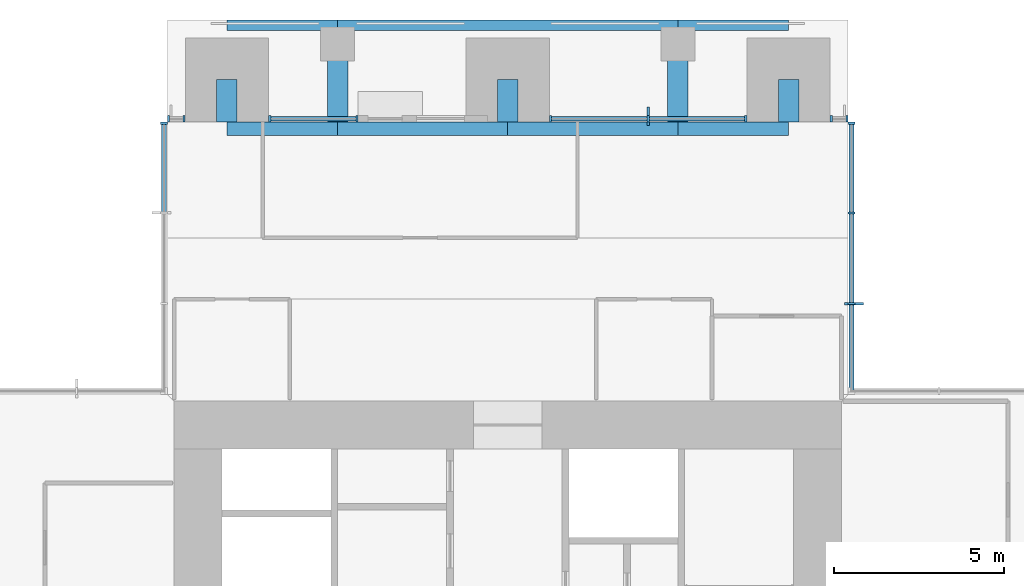
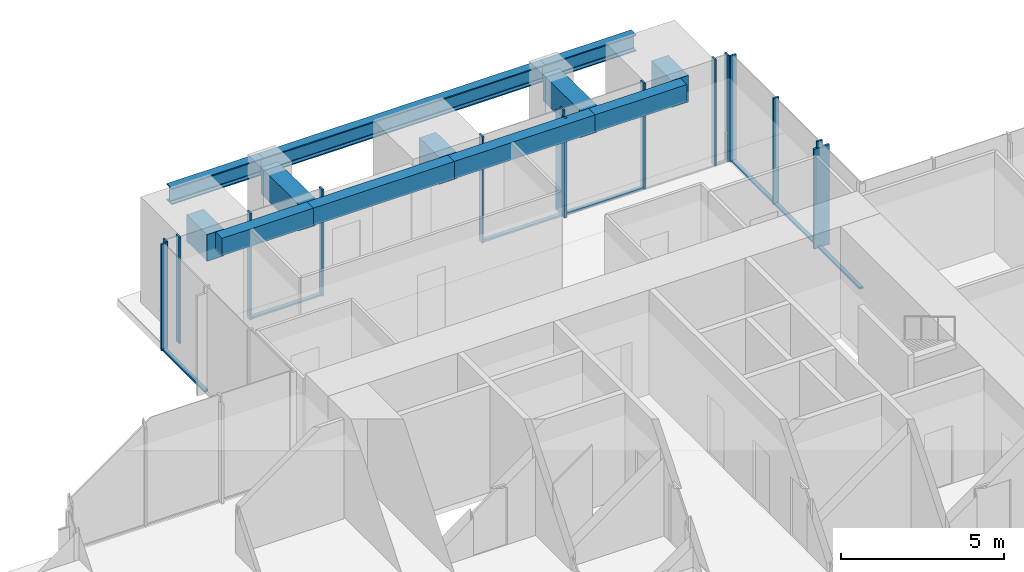
# One storey, part 5 of 17: 22 members, 12 beams, 6 elements without a shape of their own.
"""IFC4 building model written with IfcOpenShell, lengths in metres."""

from ifc_helpers import new_model, si_unit, direction, frame, origin, origin_2d, place, context, subcontext, project, spatial, rectangle, i_section, extrude, material, material_profile, profile_set, type_object, element, aggregate, save


model = new_model("IFC4")

# Units and contexts
model_context = context("Model", 3, precision=1e-05, world=origin(), true_north=direction((0.0, 1.0)))
body_context = subcontext(model_context, "Body", "Model", "MODEL_VIEW")
ifc_project = project(units=[si_unit("LENGTHUNIT", "METRE"), si_unit("AREAUNIT", "SQUARE_METRE"), si_unit("VOLUMEUNIT", "CUBIC_METRE"), si_unit("PLANEANGLEUNIT", "RADIAN"), si_unit("MASSUNIT", "GRAM", prefix="KILO")], contexts=[model_context])

# Site, building, storey
site_placement = place(None, origin())
site = spatial("IfcSite", under=ifc_project, at=site_placement, CompositionType="ELEMENT")
building_placement = place(site_placement, origin())
building = spatial("IfcBuilding", under=site, at=building_placement, Name="Svetlomir Tower", CompositionType="ELEMENT")
storey_placement = place(building_placement, frame((0.0, 0.0, 174.5)))
storey = spatial("IfcBuildingStorey", under=building, at=storey_placement, Name="L41", CompositionType="ELEMENT", Elevation=174.5)

# Curtain wall, member
ifc_material_1 = material(Name="Bronze anodised aluminium curtain wall", Category="aluminium")
curtain_wall_type = type_object("IfcCurtainWallType", Name="CURTAIN WALL CW1 TOWER OFFICE", PredefinedType="NOTDEFINED", material=ifc_material_1)
curtain_wall_1_placement = place(storey_placement, origin())
curtain_wall_1 = element("IfcCurtainWall", 1, at=curtain_wall_1_placement, inside=storey, type_object=curtain_wall_type, Name="Curtain wall CW1 L41", PredefinedType="NOTDEFINED")
ifc_material_2 = material(Name="Bronze anodised aluminium", Category="aluminium")
ifc_material_profile_1 = material_profile(ifc_material_2, rectangle(XDim=0.080078125, YDim=0.550048828125, at=origin_2d()), Name="FIN 80x550")
ifc_profile_set_1 = profile_set([ifc_material_profile_1], Name="Bronze anodised aluminium 6063-T6")
member_type_1 = type_object("IfcMemberType", Name="BRONZE FIN 80x550", PredefinedType="USERDEFINED", material=ifc_profile_set_1)
member_1_placement = place(storey_placement, frame((31.175048828125, 33.666748046875, 0.0), z_axis=(0.0, 0.0, 1.0), x_axis=(0.0, 1.0, 0.0)))
member_1 = element("IfcMember", 2, at=member_1_placement, type_object=member_type_1, Name="Bronze fin L41", ObjectType="FIN", PredefinedType="USERDEFINED", context=body_context, shape_type="SweptSolid", body=[
    extrude(rectangle(XDim=0.080078125, YDim=0.550048828125, at=origin_2d()), origin(), (0.0, 0.0, 1.0), 3.75),
])

curtain_wall_2_placement = place(storey_placement, origin())
curtain_wall_2 = element("IfcCurtainWall", 3, at=curtain_wall_2_placement, inside=storey, type_object=curtain_wall_type, Name="Curtain wall CW1 L41", PredefinedType="NOTDEFINED")
member_2_placement = place(storey_placement, frame((25.125, 39.175048828125, 0.0), z_axis=(0.0, 0.0, 1.0), x_axis=(1.0, 0.0, 0.0)))
member_2 = element("IfcMember", 4, at=member_2_placement, type_object=member_type_1, Name="Bronze fin L41", ObjectType="FIN", PredefinedType="USERDEFINED", context=body_context, shape_type="SweptSolid", body=[
    extrude(rectangle(XDim=0.080078125, YDim=0.550048828125, at=origin_2d()), origin(), (0.0, 0.0, 1.0), 3.75),
])

# Member
ifc_material_3 = material(Name="Bronze anodised aluminium", Category="aluminium")
ifc_material_profile_2 = material_profile(ifc_material_3, rectangle(XDim=0.06494140625, YDim=0.199951171875, at=origin_2d()), Name="AL 65x200")
ifc_profile_set_2 = profile_set([ifc_material_profile_2], Name="Bronze anodised aluminium 6063-T6")
member_type_2 = type_object("IfcMemberType", Name="CW1 MULLION 65x200", PredefinedType="MULLION", material=ifc_profile_set_2)
member_3_placement = place(storey_placement, frame((31.10009765625, 33.666748046875, 0.0), z_axis=(0.0, 0.0, 1.0), x_axis=(0.0, 1.0, 0.0)))
member_3 = element("IfcMember", 5, at=member_3_placement, type_object=member_type_2, Name="CW1 mullion 2", PredefinedType="MULLION", context=body_context, shape_type="SweptSolid", body=[
    extrude(rectangle(XDim=0.06494140625, YDim=0.199951171875, at=origin_2d()), origin(), (0.0, 0.0, 1.0), 4.0),
])

member_4_placement = place(storey_placement, frame((31.10009765625, 36.333251953125, 0.0), z_axis=(0.0, 0.0, 1.0), x_axis=(0.0, 1.0, 0.0)))
member_4 = element("IfcMember", 6, at=member_4_placement, type_object=member_type_2, Name="CW1 mullion 3", PredefinedType="MULLION", context=body_context, shape_type="SweptSolid", body=[
    extrude(rectangle(XDim=0.06494140625, YDim=0.199951171875, at=origin_2d()), origin(), (0.0, 0.0, 1.0), 4.0),
])

member_5_placement = place(storey_placement, frame((31.10009765625, 38.967529296875, 0.0), z_axis=(0.0, 0.0, 1.0), x_axis=(0.0, 1.0, 0.0)))
member_5 = element("IfcMember", 7, at=member_5_placement, type_object=member_type_2, Name="CW1 mullion 4", PredefinedType="MULLION", context=body_context, shape_type="SweptSolid", body=[
    extrude(rectangle(XDim=0.06494140625, YDim=0.199951171875, at=origin_2d()), origin(), (0.0, 0.0, 1.0), 4.0),
])

# Curtain wall, members
curtain_wall_3_placement = place(storey_placement, origin())
curtain_wall_3 = element("IfcCurtainWall", 8, at=curtain_wall_3_placement, inside=storey, type_object=curtain_wall_type, Name="Curtain wall CW1 L41", PredefinedType="NOTDEFINED")
member_6_placement = place(storey_placement, frame((30.967529296875, 39.10009765625, 0.0), z_axis=(0.0, 0.0, 1.0), x_axis=(-1.0, 0.0, 0.0)))
member_6 = element("IfcMember", 9, at=member_6_placement, type_object=member_type_2, Name="CW1 mullion 1", PredefinedType="MULLION", context=body_context, shape_type="SweptSolid", body=[
    extrude(rectangle(XDim=0.06494140625, YDim=0.199951171875, at=origin_2d()), origin(), (0.0, 0.0, 1.0), 4.0),
])
member_7_placement = place(storey_placement, frame((30.507568359375, 39.10009765625, 0.0), z_axis=(0.0, 0.0, 1.0), x_axis=(-1.0, 0.0, 0.0)))
member_7 = element("IfcMember", 10, at=member_7_placement, type_object=member_type_2, Name="CW1 mullion 2", PredefinedType="MULLION", context=body_context, shape_type="SweptSolid", body=[
    extrude(rectangle(XDim=0.06494140625, YDim=0.199951171875, at=origin_2d()), origin(), (0.0, 0.0, 1.0), 4.0),
])
aggregate(curtain_wall_3, [member_6, member_7])

# Member
member_8_placement = place(storey_placement, frame((27.992431640625, 39.10009765625, 0.0), z_axis=(0.0, 0.0, 1.0), x_axis=(-1.0, 0.0, 0.0)))
member_8 = element("IfcMember", 11, at=member_8_placement, type_object=member_type_2, Name="CW1 mullion 1", PredefinedType="MULLION", context=body_context, shape_type="SweptSolid", body=[
    extrude(rectangle(XDim=0.06494140625, YDim=0.199951171875, at=origin_2d()), origin(), (0.0, 0.0, 1.0), 4.0),
])

member_9_placement = place(storey_placement, frame((25.125, 39.10009765625, 0.0), z_axis=(0.0, 0.0, 1.0), x_axis=(-1.0, 0.0, 0.0)))
member_9 = element("IfcMember", 12, at=member_9_placement, type_object=member_type_2, Name="CW1 mullion 2", PredefinedType="MULLION", context=body_context, shape_type="SweptSolid", body=[
    extrude(rectangle(XDim=0.06494140625, YDim=0.199951171875, at=origin_2d()), origin(), (0.0, 0.0, 1.0), 4.0),
])

member_10_placement = place(storey_placement, frame((22.257568359375, 39.10009765625, 0.0), z_axis=(0.0, 0.0, 1.0), x_axis=(-1.0, 0.0, 0.0)))
member_10 = element("IfcMember", 13, at=member_10_placement, type_object=member_type_2, Name="CW1 mullion 3", PredefinedType="MULLION", context=body_context, shape_type="SweptSolid", body=[
    extrude(rectangle(XDim=0.06494140625, YDim=0.199951171875, at=origin_2d()), origin(), (0.0, 0.0, 1.0), 4.0),
])

# Curtain wall, members
curtain_wall_4_placement = place(storey_placement, origin())
curtain_wall_4 = element("IfcCurtainWall", 14, at=curtain_wall_4_placement, inside=storey, type_object=curtain_wall_type, Name="Curtain wall CW1 L41", PredefinedType="NOTDEFINED")
member_11_placement = place(storey_placement, frame((16.5673828125, 39.10009765625, 0.0), z_axis=(0.0, 0.0, 1.0), x_axis=(-1.0, 0.0, 0.0)))
member_11 = element("IfcMember", 15, at=member_11_placement, type_object=member_type_2, Name="CW1 mullion 1", PredefinedType="MULLION", context=body_context, shape_type="SweptSolid", body=[
    extrude(rectangle(XDim=0.06494140625, YDim=0.199951171875, at=origin_2d()), origin(), (0.0, 0.0, 1.0), 4.0),
])
member_12_placement = place(storey_placement, frame((14.007568359375, 39.10009765625, 0.0), z_axis=(0.0, 0.0, 1.0), x_axis=(-1.0, 0.0, 0.0)))
member_12 = element("IfcMember", 16, at=member_12_placement, type_object=member_type_2, Name="CW1 mullion 2", PredefinedType="MULLION", context=body_context, shape_type="SweptSolid", body=[
    extrude(rectangle(XDim=0.06494140625, YDim=0.199951171875, at=origin_2d()), origin(), (0.0, 0.0, 1.0), 4.0),
])

curtain_wall_5_placement = place(storey_placement, origin())
curtain_wall_5 = element("IfcCurtainWall", 17, at=curtain_wall_5_placement, inside=storey, type_object=curtain_wall_type, Name="Curtain wall CW1 L41", PredefinedType="NOTDEFINED")
member_13_placement = place(storey_placement, frame((11.492431640625, 39.10009765625, 0.0), z_axis=(0.0, 0.0, 1.0), x_axis=(-1.0, 0.0, 0.0)))
member_13 = element("IfcMember", 18, at=member_13_placement, type_object=member_type_2, Name="CW1 mullion 1", PredefinedType="MULLION", context=body_context, shape_type="SweptSolid", body=[
    extrude(rectangle(XDim=0.06494140625, YDim=0.199951171875, at=origin_2d()), origin(), (0.0, 0.0, 1.0), 4.0),
])
member_14_placement = place(storey_placement, frame((11.032470703125, 39.10009765625, 0.0), z_axis=(0.0, 0.0, 1.0), x_axis=(-1.0, 0.0, 0.0)))
member_14 = element("IfcMember", 19, at=member_14_placement, type_object=member_type_2, Name="CW1 mullion 2", PredefinedType="MULLION", context=body_context, shape_type="SweptSolid", body=[
    extrude(rectangle(XDim=0.06494140625, YDim=0.199951171875, at=origin_2d()), origin(), (0.0, 0.0, 1.0), 4.0),
])
aggregate(curtain_wall_5, [member_13, member_14])

# Curtain wall, member
curtain_wall_6_placement = place(storey_placement, origin())
curtain_wall_6 = element("IfcCurtainWall", 20, at=curtain_wall_6_placement, inside=storey, type_object=curtain_wall_type, Name="Curtain wall CW1 L41", PredefinedType="NOTDEFINED")
member_15_placement = place(storey_placement, frame((10.89990234375, 38.967529296875, 0.0), z_axis=(0.0, 0.0, 1.0), x_axis=(0.0, -1.0, 0.0)))
member_15 = element("IfcMember", 21, at=member_15_placement, type_object=member_type_2, Name="CW1 mullion 1", PredefinedType="MULLION", context=body_context, shape_type="SweptSolid", body=[
    extrude(rectangle(XDim=0.06494140625, YDim=0.199951171875, at=origin_2d()), origin(), (0.0, 0.0, 1.0), 4.0),
])

# Member
ifc_material_4 = material(Name="Bronze anodised aluminium", Category="aluminium")
ifc_material_profile_3 = material_profile(ifc_material_4, rectangle(XDim=0.139892578125, YDim=0.06494140625, at=origin_2d()), Name="AL 140x65")
ifc_profile_set_3 = profile_set([ifc_material_profile_3], Name="Bronze anodised aluminium 6063-T6")
member_type_3 = type_object("IfcMemberType", Name="CW1 TRANSOM 65x140", PredefinedType="USERDEFINED", material=ifc_profile_set_3)
member_16_placement = place(storey_placement, frame((31.10009765625, 31.06494140625, 0.032470703125), z_axis=(0.0, 1.0, 0.0), x_axis=(-1.0, 0.0, 0.0)))
member_16 = element("IfcMember", 22, at=member_16_placement, type_object=member_type_3, Name="CW1 transom 1.1", ObjectType="TRANSOM", PredefinedType="USERDEFINED", context=body_context, shape_type="SweptSolid", body=[
    extrude(rectangle(XDim=0.139892578125, YDim=0.06494140625, at=origin_2d()), origin(), (0.0, 0.0, 1.0), 2.5693359375),
])

member_17_placement = place(storey_placement, frame((31.10009765625, 33.69921875, 0.032470703125), z_axis=(0.0, 1.0, 0.0), x_axis=(-1.0, 0.0, 0.0)))
member_17 = element("IfcMember", 23, at=member_17_placement, type_object=member_type_3, Name="CW1 transom 2.1", ObjectType="TRANSOM", PredefinedType="USERDEFINED", context=body_context, shape_type="SweptSolid", body=[
    extrude(rectangle(XDim=0.139892578125, YDim=0.06494140625, at=origin_2d()), origin(), (0.0, 0.0, 1.0), 2.6015625),
])

member_18_placement = place(storey_placement, frame((31.10009765625, 36.36572265625, 0.032470703125), z_axis=(0.0, 1.0, 0.0), x_axis=(-1.0, 0.0, 0.0)))
member_18 = element("IfcMember", 24, at=member_18_placement, type_object=member_type_3, Name="CW1 transom 3.1", ObjectType="TRANSOM", PredefinedType="USERDEFINED", context=body_context, shape_type="SweptSolid", body=[
    extrude(rectangle(XDim=0.139892578125, YDim=0.06494140625, at=origin_2d()), origin(), (0.0, 0.0, 1.0), 2.5693359375),
])

aggregate(curtain_wall_1, [member_3, member_4, member_5, member_16, member_17, member_18, member_1])

member_19_placement = place(storey_placement, frame((27.9599609375, 39.10009765625, 0.032470703125), z_axis=(-1.0, 0.0, 0.0), x_axis=(0.0, -1.0, 0.0)))
member_19 = element("IfcMember", 25, at=member_19_placement, type_object=member_type_3, Name="CW1 transom 1.1", ObjectType="TRANSOM", PredefinedType="USERDEFINED", context=body_context, shape_type="SweptSolid", body=[
    extrude(rectangle(XDim=0.139892578125, YDim=0.06494140625, at=origin_2d()), origin(), (0.0, 0.0, 1.0), 2.802490234375),
])

member_20_placement = place(storey_placement, frame((25.092529296875, 39.10009765625, 0.032470703125), z_axis=(-1.0, 0.0, 0.0), x_axis=(0.0, -1.0, 0.0)))
member_20 = element("IfcMember", 26, at=member_20_placement, type_object=member_type_3, Name="CW1 transom 2.1", ObjectType="TRANSOM", PredefinedType="USERDEFINED", context=body_context, shape_type="SweptSolid", body=[
    extrude(rectangle(XDim=0.139892578125, YDim=0.06494140625, at=origin_2d()), origin(), (0.0, 0.0, 1.0), 2.802490234375),
])

aggregate(curtain_wall_2, [member_8, member_9, member_10, member_19, member_20, member_2])

member_21_placement = place(storey_placement, frame((16.534912109375, 39.10009765625, 0.032470703125), z_axis=(-1.0, 0.0, 0.0), x_axis=(0.0, -1.0, 0.0)))
member_21 = element("IfcMember", 27, at=member_21_placement, type_object=member_type_3, Name="CW1 transom 1.1", ObjectType="TRANSOM", PredefinedType="USERDEFINED", context=body_context, shape_type="SweptSolid", body=[
    extrude(rectangle(XDim=0.139892578125, YDim=0.06494140625, at=origin_2d()), origin(), (0.0, 0.0, 1.0), 2.494873046875),
])

aggregate(curtain_wall_4, [member_11, member_12, member_21])

member_22_placement = place(storey_placement, frame((10.89990234375, 38.93505859375, 0.032470703125), z_axis=(0.0, -1.0, 0.0), x_axis=(1.0, 0.0, 0.0)))
member_22 = element("IfcMember", 28, at=member_22_placement, type_object=member_type_3, Name="CW1 transom 1.1", ObjectType="TRANSOM", PredefinedType="USERDEFINED", context=body_context, shape_type="SweptSolid", body=[
    extrude(rectangle(XDim=0.139892578125, YDim=0.06494140625, at=origin_2d()), origin(), (0.0, 0.0, 1.0), 2.5693359375),
])

aggregate(curtain_wall_6, [member_15, member_22])

# Beams
ifc_material_5 = material(Name="Steel S355", Category="steel")
ifc_material_profile_4 = material_profile(ifc_material_5, i_section(OverallWidth=0.304931640625, OverallDepth=0.6201171875, WebThickness=0.02099609375, FlangeThickness=0.0400390625, FilletRadius=0.027099609375, at=origin_2d()), Name="HEM 600")
ifc_profile_set_4 = profile_set([ifc_material_profile_4], Name="Steel S355")
beam_type_1 = type_object("IfcBeamType", Name="EDGE BEAM HEM 600", PredefinedType="SPANDREL", material=ifc_profile_set_4)
beam_1_placement = place(storey_placement, frame((12.75, 41.847412109375, 3.43994140625), z_axis=(1.0, 0.0, 0.0), x_axis=(0.0, 1.0, 0.0)))
element("IfcBeam", 29, at=beam_1_placement, inside=storey, type_object=beam_type_1, Name="Edge beam 11/42 to 16/42 under L42", PredefinedType="SPANDREL", context=body_context, shape_type="SweptSolid", body=[
    extrude(i_section(OverallWidth=0.304931640625, OverallDepth=0.6201171875, WebThickness=0.02099609375, FlangeThickness=0.0400390625, FilletRadius=0.027099609375, at=origin_2d()), origin(), (0.0, 0.0, 1.0), 3.25),
])
beam_2_placement = place(storey_placement, frame((16.0, 41.847412109375, 3.43994140625), z_axis=(1.0, 0.0, 0.0), x_axis=(0.0, 1.0, 0.0)))
element("IfcBeam", 30, at=beam_2_placement, inside=storey, type_object=beam_type_1, Name="Edge beam 16/42 to 26/42 under L42", PredefinedType="SPANDREL", context=body_context, shape_type="SweptSolid", body=[
    extrude(i_section(OverallWidth=0.304931640625, OverallDepth=0.6201171875, WebThickness=0.02099609375, FlangeThickness=0.0400390625, FilletRadius=0.027099609375, at=origin_2d()), origin(), (0.0, 0.0, 1.0), 10.0),
])
beam_3_placement = place(storey_placement, frame((26.0, 41.847412109375, 3.43994140625), z_axis=(1.0, 0.0, 0.0), x_axis=(0.0, 1.0, 0.0)))
element("IfcBeam", 31, at=beam_3_placement, inside=storey, type_object=beam_type_1, Name="Edge beam 26/42 to 31/42 under L42", PredefinedType="SPANDREL", context=body_context, shape_type="SweptSolid", body=[
    extrude(i_section(OverallWidth=0.304931640625, OverallDepth=0.6201171875, WebThickness=0.02099609375, FlangeThickness=0.0400390625, FilletRadius=0.027099609375, at=origin_2d()), origin(), (0.0, 0.0, 1.0), 3.25),
])
ifc_material_6 = material(Name="Concrete C60/75", Category="concrete")
ifc_material_profile_5 = material_profile(ifc_material_6, rectangle(XDim=0.39990234375, YDim=0.64990234375, at=origin_2d()), Name="RC 400x650")
ifc_profile_set_5 = profile_set([ifc_material_profile_5], Name="Concrete C60/75")
beam_type_2 = type_object("IfcBeamType", Name="FACADE EDGE BEAM RC 400x650", PredefinedType="BEAM", material=ifc_profile_set_5)
beam_4_placement = place(storey_placement, frame((12.75, 38.800048828125, 3.425048828125), z_axis=(1.0, 0.0, 0.0), x_axis=(0.0, 1.0, 0.0)))
element("IfcBeam", 32, at=beam_4_placement, inside=storey, type_object=beam_type_2, Name="Facade edge beam N 11 to 16 under L42", PredefinedType="BEAM", context=body_context, shape_type="SweptSolid", body=[
    extrude(rectangle(XDim=0.39990234375, YDim=0.64990234375, at=origin_2d()), origin(), (0.0, 0.0, 1.0), 3.25),
])
for number, where, z_axis, x_axis, name in (
    (33, (16.0, 38.800048828125, 3.425048828125), (1.0, 0.0, 0.0), (0.0, 1.0, 0.0), "Facade edge beam N 16 to 21 under L42"),
    (34, (21.0, 38.800048828125, 3.425048828125), (1.0, 0.0, 0.0), (0.0, 1.0, 0.0), "Facade edge beam N 21 to 26 under L42"),
):
    element("IfcBeam", number, at=place(storey_placement, frame(where, z_axis=z_axis, x_axis=x_axis)), inside=storey, type_object=beam_type_2, Name=name, PredefinedType="BEAM", context=body_context, shape_type="SweptSolid", body=[
        extrude(rectangle(XDim=0.39990234375, YDim=0.64990234375, at=origin_2d()), origin(), (0.0, 0.0, 1.0), 5.0),
    ])
beam_5_placement = place(storey_placement, frame((26.0, 38.800048828125, 3.425048828125), z_axis=(1.0, 0.0, 0.0), x_axis=(0.0, 1.0, 0.0)))
element("IfcBeam", 35, at=beam_5_placement, inside=storey, type_object=beam_type_2, Name="Facade edge beam N 26 to 31 under L42", PredefinedType="BEAM", context=body_context, shape_type="SweptSolid", body=[
    extrude(rectangle(XDim=0.39990234375, YDim=0.64990234375, at=origin_2d()), origin(), (0.0, 0.0, 1.0), 3.25),
])
ifc_material_7 = material(Name="Concrete C60/75", Category="concrete")
ifc_material_profile_6 = material_profile(ifc_material_7, rectangle(XDim=0.60009765625, YDim=1.0, at=origin_2d()), Name="RC 600x1000")
ifc_profile_set_6 = profile_set([ifc_material_profile_6], Name="Concrete C60/75")
beam_type_3 = type_object("IfcBeamType", Name="LOGGIA LINK BEAM RC 600x1000", PredefinedType="BEAM", material=ifc_profile_set_6)
beam_6_placement = place(storey_placement, frame((12.75, 40.25, 3.25), z_axis=(0.0, -1.0, 0.0), x_axis=(1.0, 0.0, 0.0)))
element("IfcBeam", 36, at=beam_6_placement, inside=storey, type_object=beam_type_3, Name="Loggia link beam N 11 under L42", PredefinedType="BEAM", context=body_context, shape_type="SweptSolid", body=[
    extrude(rectangle(XDim=0.60009765625, YDim=1.0, at=origin_2d()), origin(), (0.0, 0.0, 1.0), 1.25),
])
beam_7_placement = place(storey_placement, frame((16.0, 41.300048828125, 3.25), z_axis=(0.0, -1.0, 0.0), x_axis=(1.0, 0.0, 0.0)))
element("IfcBeam", 37, at=beam_7_placement, inside=storey, type_object=beam_type_3, Name="Loggia link beam N 16 under L42", PredefinedType="BEAM", context=body_context, shape_type="SweptSolid", body=[
    extrude(rectangle(XDim=0.60009765625, YDim=1.0, at=origin_2d()), origin(), (0.0, 0.0, 1.0), 2.300048828125),
])
beam_8_placement = place(storey_placement, frame((21.0, 40.25, 3.25), z_axis=(0.0, -1.0, 0.0), x_axis=(1.0, 0.0, 0.0)))
element("IfcBeam", 38, at=beam_8_placement, inside=storey, type_object=beam_type_3, Name="Loggia link beam N 21 under L42", PredefinedType="BEAM", context=body_context, shape_type="SweptSolid", body=[
    extrude(rectangle(XDim=0.60009765625, YDim=1.0, at=origin_2d()), origin(), (0.0, 0.0, 1.0), 1.25),
])
beam_9_placement = place(storey_placement, frame((26.0, 41.300048828125, 3.25), z_axis=(0.0, -1.0, 0.0), x_axis=(1.0, 0.0, 0.0)))
element("IfcBeam", 39, at=beam_9_placement, inside=storey, type_object=beam_type_3, Name="Loggia link beam N 26 under L42", PredefinedType="BEAM", context=body_context, shape_type="SweptSolid", body=[
    extrude(rectangle(XDim=0.60009765625, YDim=1.0, at=origin_2d()), origin(), (0.0, 0.0, 1.0), 2.300048828125),
])
beam_10_placement = place(storey_placement, frame((29.25, 40.25, 3.25), z_axis=(0.0, -1.0, 0.0), x_axis=(1.0, 0.0, 0.0)))
element("IfcBeam", 40, at=beam_10_placement, inside=storey, type_object=beam_type_3, Name="Loggia link beam N 31 under L42", PredefinedType="BEAM", context=body_context, shape_type="SweptSolid", body=[
    extrude(rectangle(XDim=0.60009765625, YDim=1.0, at=origin_2d()), origin(), (0.0, 0.0, 1.0), 1.25),
])

save(model, "model.ifc")
